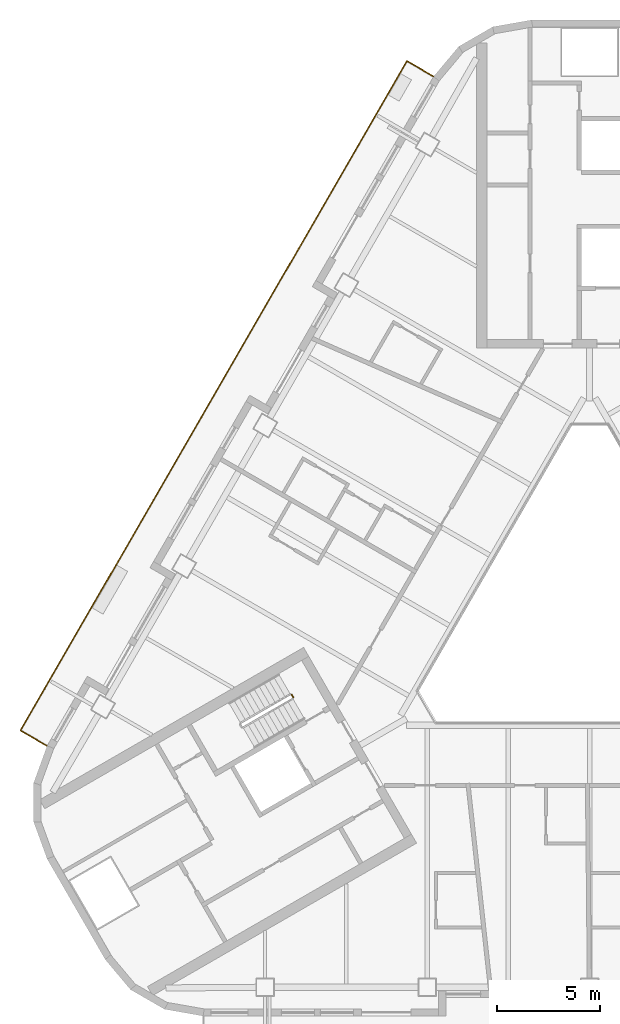
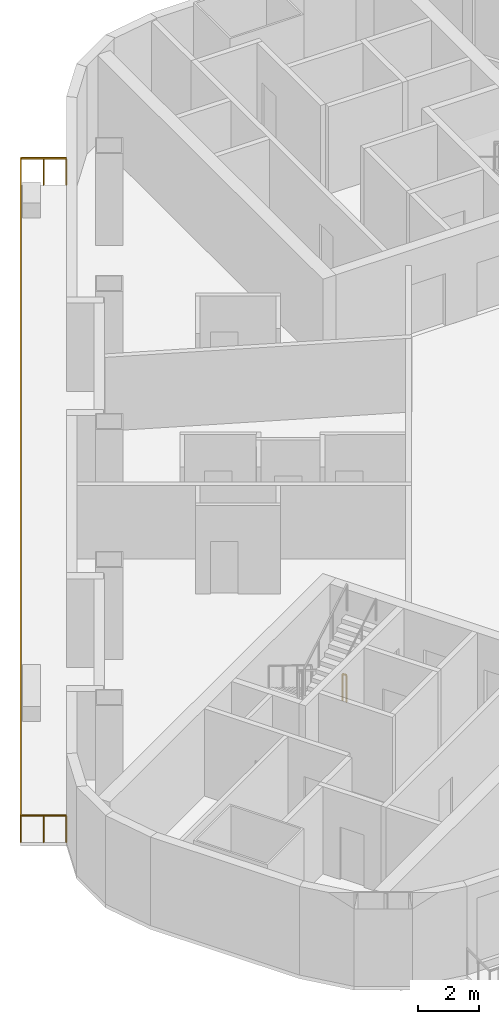
# One storey, part 11 of 14: 2 railings.
"""IFC4 building model written with IfcOpenShell, lengths in metres."""

from ifc_helpers import new_model, si_unit, direction, frame, origin, origin_2d, place, context, subcontext, project, spatial, rectangle, extrude, material, type_object, element, save


model = new_model("IFC4")

# Units and contexts
model_context = context("Model", 3, precision=1e-05, world=origin(), true_north=direction((0.0, 1.0)))
body_context = subcontext(model_context, "Body", "Model", "MODEL_VIEW")
ifc_project = project(units=[si_unit("LENGTHUNIT", "METRE"), si_unit("AREAUNIT", "SQUARE_METRE"), si_unit("VOLUMEUNIT", "CUBIC_METRE"), si_unit("PLANEANGLEUNIT", "RADIAN"), si_unit("MASSUNIT", "GRAM", prefix="KILO")], contexts=[model_context])

# Site, building, storey
site_placement = place(None, origin())
site = spatial("IfcSite", under=ifc_project, at=site_placement, CompositionType="ELEMENT")
building_placement = place(site_placement, origin())
building = spatial("IfcBuilding", under=site, at=building_placement, Name="Apuvela Tower Hotel", CompositionType="ELEMENT")
storey_placement = place(building_placement, frame((0.0, 0.0, 116.800048828125)))
storey = spatial("IfcBuildingStorey", under=building, at=storey_placement, Name="L27", CompositionType="ELEMENT", Elevation=116.800048828125)

# Railings
ifc_material_1 = material(Name="Steel S275 balustrade", Category="steel")
railing_type_1 = type_object("IfcRailingType", Name="COR-GUARD-1100", PredefinedType="GUARDRAIL", material=ifc_material_1)
railing_1_placement = place(storey_placement, frame((-14.500732421875, -3.984130859375, 0.0)))
element("IfcRailing", 1, at=railing_1_placement, inside=storey, type_object=railing_type_1, Name="L27 ST2 stair guard 4", PredefinedType="GUARDRAIL", context=body_context, shape_type="SweptSolid", body=[
    extrude(rectangle(XDim=0.048095703125, YDim=0.048095703125, at=origin_2d()), frame((0.0, 0.0, 1.076171875), z_axis=(0.499816412211, -0.866131372301, 0.0), x_axis=(0.866131372301, 0.499816412211, 0.0)), (0.0, 0.0, 1.0), 0.14990234375),
    extrude(rectangle(XDim=0.0419921875, YDim=0.0419921875, at=origin_2d()), origin(), (0.0, 0.0, 1.0), 1.052001953125),
    extrude(rectangle(XDim=0.0419921875, YDim=0.0419921875, at=origin_2d()), frame((0.074951171875, -0.1298828125, 0.0)), (0.0, 0.0, 1.0), 1.052001953125),
])
ifc_material_2 = material(Name="Stainless steel 316 rail with laminated glass infill", Category="steel")
railing_type_2 = type_object("IfcRailingType", Name="ENV-GUARD-1100", PredefinedType="GUARDRAIL", material=ifc_material_2)
railing_2_placement = place(storey_placement, frame((-7.59228515625, 26.110107421875, 0.0)))
element("IfcRailing", 2, at=railing_2_placement, inside=storey, type_object=railing_type_2, Name="Balcony guard NW L27", PredefinedType="GUARDRAIL", context=body_context, shape_type="SweptSolid", body=[
    extrude(rectangle(XDim=0.050048828125, YDim=0.050048828125, at=origin_2d()), frame((0.0, 0.0, 1.0751953125), z_axis=(-0.86599040064, 0.500060622324, 0.0), x_axis=(-0.500060622324, -0.86599040064, 0.0)), (0.0, 0.0, 1.0), 1.499755859375),
    extrude(rectangle(XDim=0.050048828125, YDim=0.050048828125, at=origin_2d()), frame((-1.298828125, 0.75, 1.0751953125), z_axis=(-0.500000437506, -0.86602515119, 0.0), x_axis=(0.86602515119, -0.500000437506, 0.0)), (0.0, 0.0, 1.0), 37.6318359375),
    extrude(rectangle(XDim=0.050048828125, YDim=0.050048828125, at=origin_2d()), frame((-20.11474609375, -31.840087890625, 1.0751953125), z_axis=(0.866031096941, -0.499990139034, 0.0), x_axis=(0.499990139034, 0.866031096941, 0.0)), (0.0, 0.0, 1.0), 1.5),
    extrude(rectangle(XDim=0.0400390625, YDim=0.0400390625, at=origin_2d()), origin(), (0.0, 0.0, 1.0), 1.050048828125),
    extrude(rectangle(XDim=0.0400390625, YDim=0.0400390625, at=origin_2d()), frame((-0.6494140625, 0.375, 0.0)), (0.0, 0.0, 1.0), 1.050048828125),
    extrude(rectangle(XDim=0.0400390625, YDim=0.0400390625, at=origin_2d()), frame((-1.298828125, 0.75, 0.0)), (0.0, 0.0, 1.0), 1.050048828125),
    extrude(rectangle(XDim=0.0400390625, YDim=0.0400390625, at=origin_2d()), frame((-1.88671875, -0.2685546875, 0.0)), (0.0, 0.0, 1.0), 1.050048828125),
    extrude(rectangle(XDim=0.0400390625, YDim=0.0400390625, at=origin_2d()), frame((-2.474853515625, -1.286865234375, 0.0)), (0.0, 0.0, 1.0), 1.050048828125),
    extrude(rectangle(XDim=0.0400390625, YDim=0.0400390625, at=origin_2d()), frame((-3.062744140625, -2.305419921875, 0.0)), (0.0, 0.0, 1.0), 1.050048828125),
    extrude(rectangle(XDim=0.0400390625, YDim=0.0400390625, at=origin_2d()), frame((-3.65087890625, -3.32373046875, 0.0)), (0.0, 0.0, 1.0), 1.050048828125),
    extrude(rectangle(XDim=0.0400390625, YDim=0.0400390625, at=origin_2d()), frame((-4.23876953125, -4.34228515625, 0.0)), (0.0, 0.0, 1.0), 1.050048828125),
    extrude(rectangle(XDim=0.0400390625, YDim=0.0400390625, at=origin_2d()), frame((-4.826904296875, -5.360595703125, 0.0)), (0.0, 0.0, 1.0), 1.050048828125),
    extrude(rectangle(XDim=0.0400390625, YDim=0.0400390625, at=origin_2d()), frame((-5.414794921875, -6.379150390625, 0.0)), (0.0, 0.0, 1.0), 1.050048828125),
    extrude(rectangle(XDim=0.0400390625, YDim=0.0400390625, at=origin_2d()), frame((-6.0029296875, -7.3974609375, 0.0)), (0.0, 0.0, 1.0), 1.050048828125),
    extrude(rectangle(XDim=0.0400390625, YDim=0.0400390625, at=origin_2d()), frame((-6.5908203125, -8.416015625, 0.0)), (0.0, 0.0, 1.0), 1.050048828125),
    extrude(rectangle(XDim=0.0400390625, YDim=0.0400390625, at=origin_2d()), frame((-7.1787109375, -9.434326171875, 0.0)), (0.0, 0.0, 1.0), 1.050048828125),
    extrude(rectangle(XDim=0.0400390625, YDim=0.0400390625, at=origin_2d()), frame((-7.766845703125, -10.452880859375, 0.0)), (0.0, 0.0, 1.0), 1.050048828125),
    extrude(rectangle(XDim=0.0400390625, YDim=0.0400390625, at=origin_2d()), frame((-8.354736328125, -11.47119140625, 0.0)), (0.0, 0.0, 1.0), 1.050048828125),
    extrude(rectangle(XDim=0.0400390625, YDim=0.0400390625, at=origin_2d()), frame((-8.94287109375, -12.48974609375, 0.0)), (0.0, 0.0, 1.0), 1.050048828125),
    extrude(rectangle(XDim=0.0400390625, YDim=0.0400390625, at=origin_2d()), frame((-9.53076171875, -13.508056640625, 0.0)), (0.0, 0.0, 1.0), 1.050048828125),
    extrude(rectangle(XDim=0.0400390625, YDim=0.0400390625, at=origin_2d()), frame((-10.118896484375, -14.526611328125, 0.0)), (0.0, 0.0, 1.0), 1.050048828125),
    extrude(rectangle(XDim=0.0400390625, YDim=0.0400390625, at=origin_2d()), frame((-10.706787109375, -15.544921875, 0.0)), (0.0, 0.0, 1.0), 1.050048828125),
    extrude(rectangle(XDim=0.0400390625, YDim=0.0400390625, at=origin_2d()), frame((-11.294677734375, -16.5634765625, 0.0)), (0.0, 0.0, 1.0), 1.050048828125),
    extrude(rectangle(XDim=0.0400390625, YDim=0.0400390625, at=origin_2d()), frame((-11.8828125, -17.58203125, 0.0)), (0.0, 0.0, 1.0), 1.050048828125),
    extrude(rectangle(XDim=0.0400390625, YDim=0.0400390625, at=origin_2d()), frame((-12.470703125, -18.600341796875, 0.0)), (0.0, 0.0, 1.0), 1.050048828125),
    extrude(rectangle(XDim=0.0400390625, YDim=0.0400390625, at=origin_2d()), frame((-13.058837890625, -19.618896484375, 0.0)), (0.0, 0.0, 1.0), 1.050048828125),
    extrude(rectangle(XDim=0.0400390625, YDim=0.0400390625, at=origin_2d()), frame((-13.646728515625, -20.63720703125, 0.0)), (0.0, 0.0, 1.0), 1.050048828125),
    extrude(rectangle(XDim=0.0400390625, YDim=0.0400390625, at=origin_2d()), frame((-14.23486328125, -21.65576171875, 0.0)), (0.0, 0.0, 1.0), 1.050048828125),
    extrude(rectangle(XDim=0.0400390625, YDim=0.0400390625, at=origin_2d()), frame((-14.82275390625, -22.674072265625, 0.0)), (0.0, 0.0, 1.0), 1.050048828125),
    extrude(rectangle(XDim=0.0400390625, YDim=0.0400390625, at=origin_2d()), frame((-15.41064453125, -23.692626953125, 0.0)), (0.0, 0.0, 1.0), 1.050048828125),
    extrude(rectangle(XDim=0.0400390625, YDim=0.0400390625, at=origin_2d()), frame((-15.998779296875, -24.7109375, 0.0)), (0.0, 0.0, 1.0), 1.050048828125),
    extrude(rectangle(XDim=0.0400390625, YDim=0.0400390625, at=origin_2d()), frame((-16.586669921875, -25.7294921875, 0.0)), (0.0, 0.0, 1.0), 1.050048828125),
    extrude(rectangle(XDim=0.0400390625, YDim=0.0400390625, at=origin_2d()), frame((-17.1748046875, -26.747802734375, 0.0)), (0.0, 0.0, 1.0), 1.050048828125),
    extrude(rectangle(XDim=0.0400390625, YDim=0.0400390625, at=origin_2d()), frame((-17.7626953125, -27.766357421875, 0.0)), (0.0, 0.0, 1.0), 1.050048828125),
    extrude(rectangle(XDim=0.0400390625, YDim=0.0400390625, at=origin_2d()), frame((-18.350830078125, -28.78466796875, 0.0)), (0.0, 0.0, 1.0), 1.050048828125),
    extrude(rectangle(XDim=0.0400390625, YDim=0.0400390625, at=origin_2d()), frame((-18.938720703125, -29.80322265625, 0.0)), (0.0, 0.0, 1.0), 1.050048828125),
    extrude(rectangle(XDim=0.0400390625, YDim=0.0400390625, at=origin_2d()), frame((-19.52685546875, -30.821533203125, 0.0)), (0.0, 0.0, 1.0), 1.050048828125),
    extrude(rectangle(XDim=0.0400390625, YDim=0.0400390625, at=origin_2d()), frame((-20.11474609375, -31.840087890625, 0.0)), (0.0, 0.0, 1.0), 1.050048828125),
    extrude(rectangle(XDim=0.0400390625, YDim=0.0400390625, at=origin_2d()), frame((-19.46533203125, -32.215087890625, 0.0)), (0.0, 0.0, 1.0), 1.050048828125),
    extrude(rectangle(XDim=0.0400390625, YDim=0.0400390625, at=origin_2d()), frame((-18.815673828125, -32.590087890625, 0.0)), (0.0, 0.0, 1.0), 1.050048828125),
])

save(model, "model.ifc")
